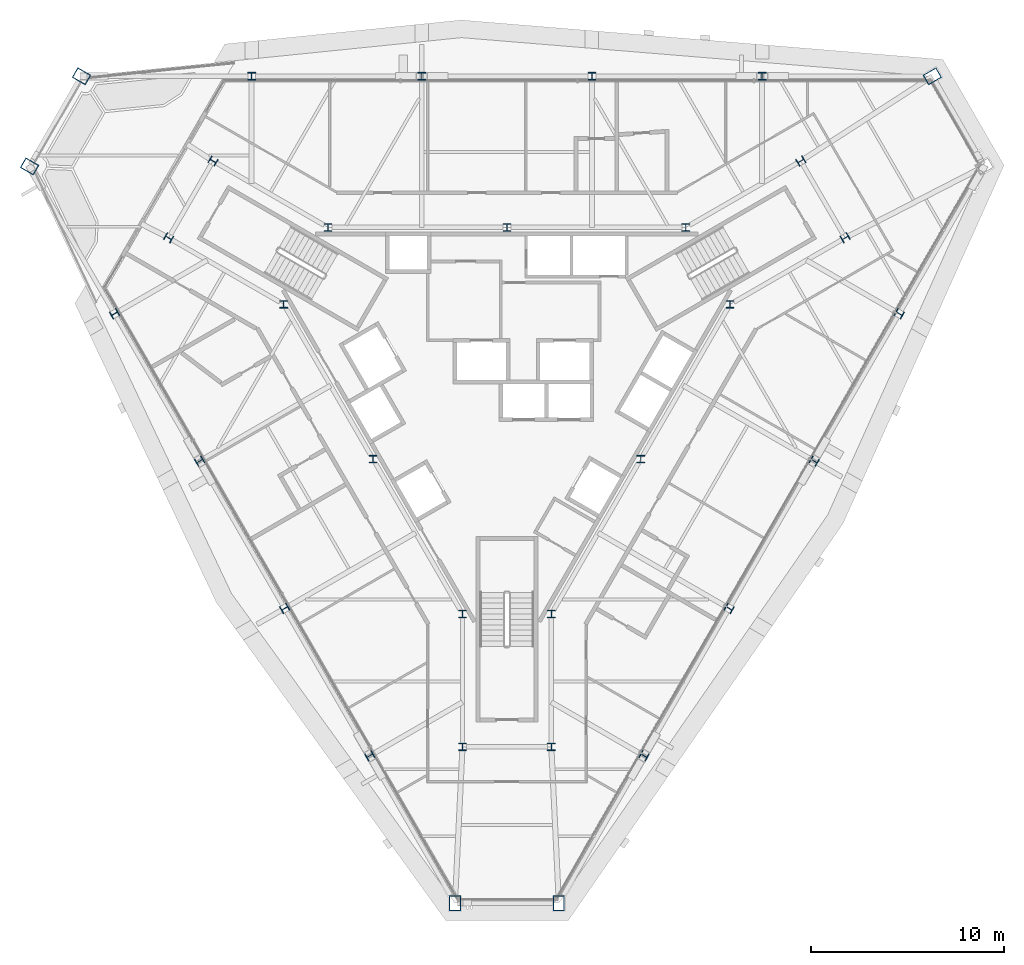
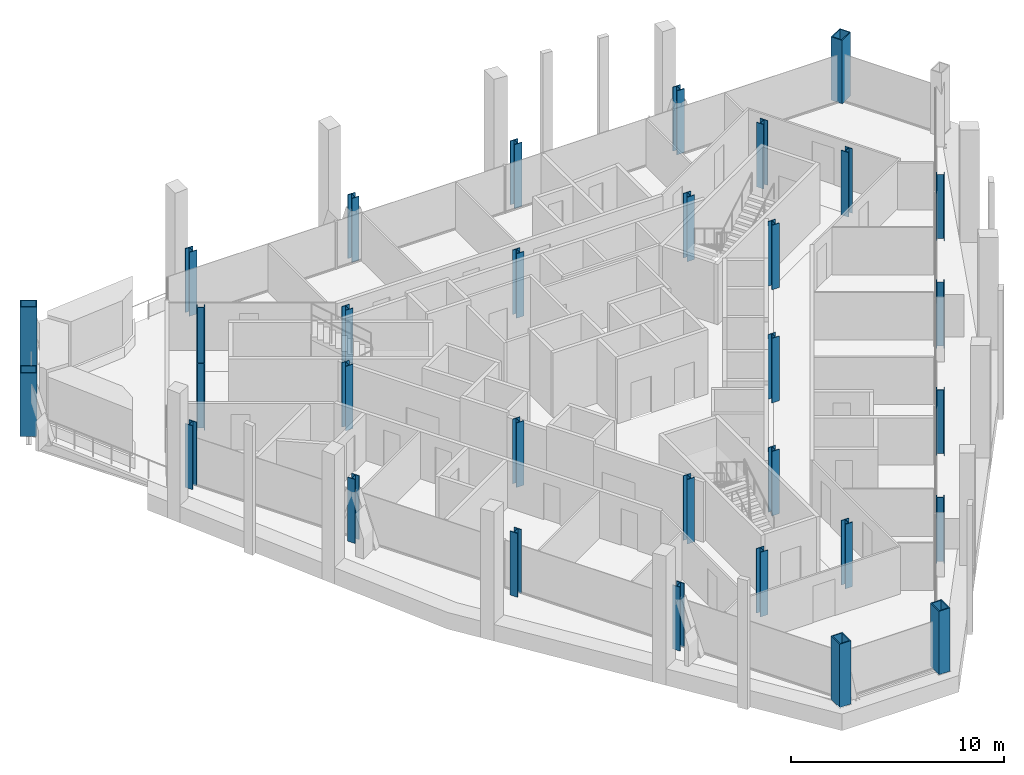
# One storey, part 1 of 14: 32 columns.
"""IFC4 building model written with IfcOpenShell, lengths in metres."""

from ifc_helpers import new_model, si_unit, direction, frame, origin, origin_2d, place, context, subcontext, project, spatial, hollow_rectangle, i_section, extrude, material, material_profile, profile_set, type_object, element, save


model = new_model("IFC4")

# Units and contexts
model_context = context("Model", 3, precision=1e-05, world=origin(), true_north=direction((0.0, 1.0)))
body_context = subcontext(model_context, "Body", "Model", "MODEL_VIEW")
ifc_project = project(units=[si_unit("LENGTHUNIT", "METRE"), si_unit("AREAUNIT", "SQUARE_METRE"), si_unit("VOLUMEUNIT", "CUBIC_METRE"), si_unit("PLANEANGLEUNIT", "RADIAN"), si_unit("MASSUNIT", "GRAM", prefix="KILO")], contexts=[model_context])

# Site, building, storey
site_placement = place(None, origin())
site = spatial("IfcSite", under=ifc_project, at=site_placement, CompositionType="ELEMENT")
building_placement = place(site_placement, origin())
building = spatial("IfcBuilding", under=site, at=building_placement, Name="Verrane Prism Tower", CompositionType="ELEMENT")
storey_placement = place(building_placement, frame((0.0, 0.0, 228.60009765625)))
storey = spatial("IfcBuildingStorey", under=building, at=storey_placement, Name="L57", CompositionType="ELEMENT", Elevation=228.60009765625)

# Columns
ifc_material_1 = material(Name="Steel A992", Category="steel")
ifc_material_profile_1 = material_profile(ifc_material_1, i_section(OverallWidth=0.4013671875, OverallDepth=0.398681640625, WebThickness=0.02490234375, FlangeThickness=0.03955078125, FilletRadius=0.01513671875, at=origin_2d()), Name="W14x211")
ifc_profile_set_1 = profile_set([ifc_material_profile_1], Name="Steel A992")
column_type_1 = type_object("IfcColumnType", Name="Core corner column W14x211", PredefinedType="COLUMN", material=ifc_profile_set_1)
for number, where, z_axis, x_axis, name in (
    (1, (17.52001953125, 7.4599609375, 0.0), (0.0, 0.0, 1.0), (0.5, -0.866025403784, 0.0), "Core corner column CK-NEm L57"),
    (2, (15.219970703125, 11.43994140625, 0.0), (0.0, 0.0, 1.0), (0.5, -0.866025403784, 0.0), "Core corner column CK-NEp L57"),
    (3, (-15.219970703125, 11.43994140625, 0.0), (0.0, 0.0, 1.0), (0.5, 0.866025403784, 0.0), "Core corner column CK-NWm L57"),
    (4, (-17.52001953125, 7.4599609375, 0.0), (0.0, 0.0, 1.0), (0.5, 0.866025403784, 0.0), "Core corner column CK-NWp L57"),
    (5, (-2.300048828125, -18.89990234375, 0.0), (0.0, 0.0, 1.0), (-1.0, 0.0, 0.0), "Core corner column CK-Sm L57"),
    (6, (2.300048828125, -18.89990234375, 0.0), (0.0, 0.0, 1.0), (-1.0, 0.0, 0.0), "Core corner column CK-Sp L57"),
):
    element("IfcColumn", number, at=place(storey_placement, frame(where, z_axis=z_axis, x_axis=x_axis)), inside=storey, type_object=column_type_1, Name=name, PredefinedType="COLUMN", context=body_context, shape_type="SweptSolid", body=[
        extrude(i_section(OverallWidth=0.4013671875, OverallDepth=0.398681640625, WebThickness=0.02490234375, FlangeThickness=0.03955078125, FilletRadius=0.01513671875, at=origin_2d()), origin(), (0.0, 0.0, 1.0), 3.699951171875),
    ])
ifc_material_2 = material(Name="Steel A992", Category="steel")
ifc_material_profile_2 = material_profile(ifc_material_2, i_section(OverallWidth=0.398681640625, OverallDepth=0.385986328125, WebThickness=0.02099609375, FlangeThickness=0.033203125, FilletRadius=0.01513671875, at=origin_2d()), Name="W14x176")
ifc_profile_set_2 = profile_set([ifc_material_profile_2], Name="Steel A992")
column_type_2 = type_object("IfcColumnType", Name="Core side column W14x176", PredefinedType="COLUMN", material=ifc_profile_set_2)
for number, where, z_axis, x_axis, name in (
    (7, (11.56005859375, 4.02001953125, 0.0), (0.0, 0.0, 1.0), (1.0, 0.0, 0.0), "Core side column CC-NEm L57"),
    (8, (9.260009765625, 8.0, 0.0), (0.0, 0.0, 1.0), (1.0, 0.0, 0.0), "Core side column CC-NEp L57"),
    (9, (0.0, 8.0, 0.0), (0.0, 0.0, 1.0), (1.0, 0.0, 0.0), "Core side column CC-N0 L57"),
    (10, (-9.260009765625, 8.0, 0.0), (0.0, 0.0, 1.0), (1.0, 0.0, 0.0), "Core side column CC-NWm L57"),
    (11, (-11.56005859375, 4.02001953125, 0.0), (0.0, 0.0, 1.0), (1.0, 0.0, 0.0), "Core side column CC-NWp L57"),
    (12, (-6.929931640625, -4.0, 0.0), (0.0, 0.0, 1.0), (1.0, 0.0, 0.0), "Core side column CC-SW0 L57"),
    (13, (-2.300048828125, -12.02001953125, 0.0), (0.0, 0.0, 1.0), (1.0, 0.0, 0.0), "Core side column CC-Sm L57"),
    (14, (2.300048828125, -12.02001953125, 0.0), (0.0, 0.0, 1.0), (1.0, 0.0, 0.0), "Core side column CC-Sp L57"),
    (15, (6.929931640625, -4.0, 0.0), (0.0, 0.0, 1.0), (1.0, 0.0, 0.0), "Core side column CC-SE0 L57"),
):
    element("IfcColumn", number, at=place(storey_placement, frame(where, z_axis=z_axis, x_axis=x_axis)), inside=storey, type_object=column_type_2, Name=name, PredefinedType="COLUMN", context=body_context, shape_type="SweptSolid", body=[
        extrude(i_section(OverallWidth=0.398681640625, OverallDepth=0.385986328125, WebThickness=0.02099609375, FlangeThickness=0.033203125, FilletRadius=0.01513671875, at=origin_2d()), origin(), (0.0, 0.0, 1.0), 3.699951171875),
    ])
ifc_material_3 = material(Name="Steel A572 Grade 50", Category="steel")
ifc_material_profile_3 = material_profile(ifc_material_3, hollow_rectangle(XDim=0.60009765625, YDim=0.800048828125, WallThickness=0.050048828125, at=origin_2d()), Name="BOX 800x600x50")
ifc_profile_set_3 = profile_set([ifc_material_profile_3], Name="Steel A572 Grade 50")
column_type_3 = type_object("IfcColumnType", Name="Megacolumn BOX 800x600x50", PredefinedType="COLUMN", material=ifc_profile_set_3)
for number, where, z_axis, x_axis, name in (
    (16, (22.030029296875, 15.830078125, 0.0), (0.0, 0.0, 1.0), (0.5, -0.866025403784, 0.0), "Megacolumn MC-NE.b L57"),
    (17, (-22.030029296875, 15.830078125, 0.0), (0.0, 0.0, 1.0), (0.5, 0.866025403784, 0.0), "Megacolumn MC-NW.a L57"),
    (18, (-24.719970703125, 11.159912109375, 0.0), (0.0, 0.0, 1.0), (0.5, 0.866025403784, 0.0), "Megacolumn MC-NW.b L57"),
    (19, (-2.68994140625, -26.989990234375, 0.0), (0.0, 0.0, 1.0), (-1.0, 0.0, 0.0), "Megacolumn MC-S.a L57"),
    (20, (2.68994140625, -26.989990234375, 0.0), (0.0, 0.0, 1.0), (-1.0, 0.0, 0.0), "Megacolumn MC-S.b L57"),
):
    element("IfcColumn", number, at=place(storey_placement, frame(where, z_axis=z_axis, x_axis=x_axis)), inside=storey, type_object=column_type_3, Name=name, PredefinedType="COLUMN", context=body_context, shape_type="SweptSolid", body=[
        extrude(hollow_rectangle(XDim=0.60009765625, YDim=0.800048828125, WallThickness=0.050048828125, at=origin_2d()), origin(), (0.0, 0.0, 1.0), 3.635009765625),
    ])
ifc_material_4 = material(Name="Steel A992", Category="steel")
ifc_material_profile_4 = material_profile(ifc_material_4, i_section(OverallWidth=0.4013671875, OverallDepth=0.398681640625, WebThickness=0.02490234375, FlangeThickness=0.03955078125, FilletRadius=0.01513671875, at=origin_2d()), Name="W14x211")
ifc_profile_set_4 = profile_set([ifc_material_profile_4], Name="Steel A992")
column_type_4 = type_object("IfcColumnType", Name="Perimeter column W14x211", PredefinedType="COLUMN", material=ifc_profile_set_4)
for number, where, z_axis, x_axis, name in (
    (21, (13.219970703125, 15.830078125, 0.0), (0.0, 0.0, 1.0), (1.0, 0.0, 0.0), "Perimeter column PC-N1 L57"),
    (22, (4.409912109375, 15.830078125, 0.0), (0.0, 0.0, 1.0), (1.0, 0.0, 0.0), "Perimeter column PC-N2 L57"),
    (23, (-4.409912109375, 15.830078125, 0.0), (0.0, 0.0, 1.0), (1.0, 0.0, 0.0), "Perimeter column PC-N3 L57"),
    (24, (-13.219970703125, 15.830078125, 0.0), (0.0, 0.0, 1.0), (1.0, 0.0, 0.0), "Perimeter column PC-N4 L57"),
):
    element("IfcColumn", number, at=place(storey_placement, frame(where, z_axis=z_axis, x_axis=x_axis)), inside=storey, type_object=column_type_4, Name=name, PredefinedType="COLUMN", context=body_context, shape_type="SweptSolid", body=[
        extrude(i_section(OverallWidth=0.4013671875, OverallDepth=0.398681640625, WebThickness=0.02490234375, FlangeThickness=0.03955078125, FilletRadius=0.01513671875, at=origin_2d()), origin(), (0.0, 0.0, 1.0), 3.664794921875),
    ])
column_1_placement = place(storey_placement, frame((-20.320068359375, 3.530029296875, 0.0), z_axis=(0.0, 0.0, 1.0), x_axis=(-0.5, 0.866025403784, 0.0)))
element("IfcColumn", 25, at=column_1_placement, inside=storey, type_object=column_type_4, Name="Perimeter column PC-SW1 L57", PredefinedType="COLUMN", context=body_context, shape_type="SweptSolid", body=[
    extrude(i_section(OverallWidth=0.4013671875, OverallDepth=0.398681640625, WebThickness=0.02490234375, FlangeThickness=0.03955078125, FilletRadius=0.01513671875, at=origin_2d()), origin(), (0.0, 0.0, 1.0), 3.659912109375),
])
for number, where, z_axis, x_axis, name in (
    (26, (-15.909912109375, -4.10009765625, 0.0), (0.0, 0.0, 1.0), (-0.5, 0.866025403784, 0.0), "Perimeter column PC-SW2 L57"),
    (27, (-11.510009765625, -11.72998046875, 0.0), (0.0, 0.0, 1.0), (-0.5, 0.866025403784, 0.0), "Perimeter column PC-SW3 L57"),
    (28, (-7.10009765625, -19.360107421875, 0.0), (0.0, 0.0, 1.0), (-0.5, 0.866025403784, 0.0), "Perimeter column PC-SW4 L57"),
    (29, (7.10009765625, -19.360107421875, 0.0), (0.0, 0.0, 1.0), (-0.5, -0.866025403784, 0.0), "Perimeter column PC-SE1 L57"),
    (30, (11.510009765625, -11.72998046875, 0.0), (0.0, 0.0, 1.0), (-0.5, -0.866025403784, 0.0), "Perimeter column PC-SE2 L57"),
    (31, (15.909912109375, -4.10009765625, 0.0), (0.0, 0.0, 1.0), (-0.5, -0.866025403784, 0.0), "Perimeter column PC-SE3 L57"),
):
    element("IfcColumn", number, at=place(storey_placement, frame(where, z_axis=z_axis, x_axis=x_axis)), inside=storey, type_object=column_type_4, Name=name, PredefinedType="COLUMN", context=body_context, shape_type="SweptSolid", body=[
        extrude(i_section(OverallWidth=0.4013671875, OverallDepth=0.398681640625, WebThickness=0.02490234375, FlangeThickness=0.03955078125, FilletRadius=0.01513671875, at=origin_2d()), origin(), (0.0, 0.0, 1.0), 3.664794921875),
    ])
column_2_placement = place(storey_placement, frame((20.320068359375, 3.530029296875, 0.0), z_axis=(0.0, 0.0, 1.0), x_axis=(-0.5, -0.866025403784, 0.0)))
element("IfcColumn", 32, at=column_2_placement, inside=storey, type_object=column_type_4, Name="Perimeter column PC-SE4 L57", PredefinedType="COLUMN", context=body_context, shape_type="SweptSolid", body=[
    extrude(i_section(OverallWidth=0.4013671875, OverallDepth=0.398681640625, WebThickness=0.02490234375, FlangeThickness=0.03955078125, FilletRadius=0.01513671875, at=origin_2d()), origin(), (0.0, 0.0, 1.0), 3.659912109375),
])

save(model, "model.ifc")
